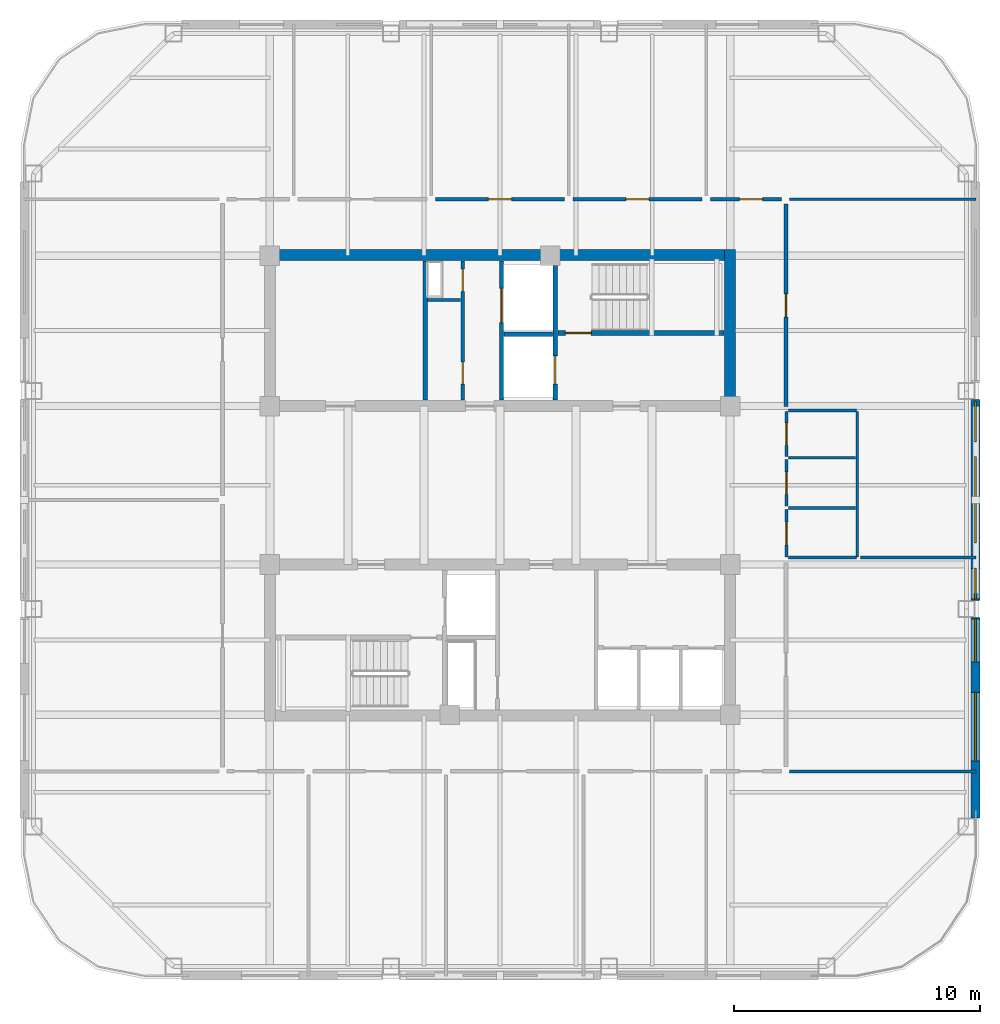
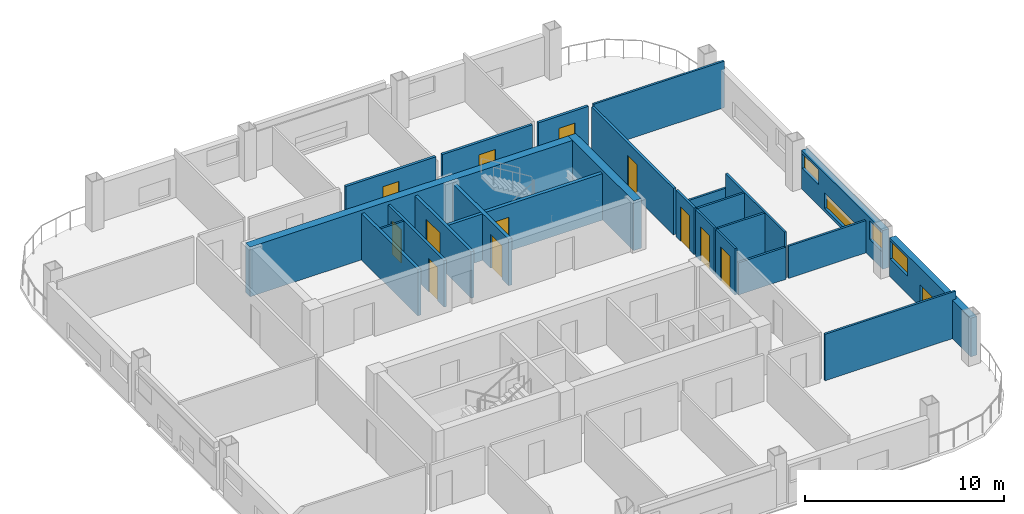
# One storey, part 4 of 8: 26 walls, 12 doors, 5 windows, 17 openings.
"""IFC4 building model written with IfcOpenShell, lengths in metres."""

from ifc_helpers import new_model, si_unit, direction, frame, frame_2d, origin, place, context, subcontext, project, spatial, rectangle, extrude, material, layer, layer_set, type_object, element, fill, save


model = new_model("IFC4")

# Units and contexts
model_context = context("Model", 3, precision=1e-05, world=origin(), true_north=direction((0.0, 1.0)))
body_context = subcontext(model_context, "Body", "Model", "MODEL_VIEW")
ifc_project = project(units=[si_unit("LENGTHUNIT", "METRE"), si_unit("AREAUNIT", "SQUARE_METRE"), si_unit("VOLUMEUNIT", "CUBIC_METRE"), si_unit("PLANEANGLEUNIT", "RADIAN"), si_unit("MASSUNIT", "GRAM", prefix="KILO")], contexts=[model_context])

# Site, building, storey
site_placement = place(None, origin())
site = spatial("IfcSite", under=ifc_project, at=site_placement, CompositionType="ELEMENT")
building_placement = place(site_placement, origin())
building = spatial("IfcBuilding", under=site, at=building_placement, Name="Qhalaya Broadcast Tower", CompositionType="ELEMENT")
storey_placement = place(building_placement, frame((0.0, 0.0, 214.75)))
storey = spatial("IfcBuildingStorey", under=building, at=storey_placement, Name="L63", CompositionType="ELEMENT", Elevation=214.75)

# Wall, openings, doors
ifc_material_1 = material(Name="Gypsum Acoustic Partition")
ifc_layer_1 = layer(ifc_material_1, 0.14990234375, Name="Gypsum Acoustic Partition")
ifc_layer_set_1 = layer_set([ifc_layer_1], Name="Gypsum Acoustic Partition")
wall_type_1 = type_object("IfcWallType", Name="Corridor & Tenancy Acoustic Partition 150", PredefinedType="PARTITIONING", material=ifc_layer_set_1)
wall_1_placement = place(storey_placement, frame((-1.52001953125, 4.070068359375, 0.0), z_axis=(0.0, 0.0, 1.0), x_axis=(0.0, 1.0, 0.0)))
wall_1 = element("IfcWall", 1, at=wall_1_placement, inside=storey, type_object=wall_type_1, Name="L63 Partition Wall NCW-SVL", PredefinedType="PARTITIONING", context=body_context, shape_type="SweptSolid", body=[
    extrude(rectangle(XDim=5.659912109375, YDim=0.14990234375, at=frame_2d((2.830078125, 0.0))), origin(), (0.0, 0.0, 1.0), 2.860107421875),
])
opening_1_placement = place(wall_1_placement, frame((4.429931640625, 0.0, 0.0)))
opening_1 = element("IfcOpeningElement", 2, at=opening_1_placement, cuts=wall_1, Name="Opening D06", PredefinedType="OPENING", context=body_context, shape_type="SweptSolid", body=[
    extrude(rectangle(XDim=0.89990234375, YDim=2.050048828125, at=frame_2d((0.449951171875, 1.02490234375))), frame((0.0, 0.0869140625, 0.0), z_axis=(0.0, -1.0, 0.0), x_axis=(1.0, 0.0, 0.0)), (0.0, 0.0, 1.0), 0.173828125),
])
opening_2_placement = place(wall_1_placement, frame((0.64990234375, 0.0, 0.0)))
opening_2 = element("IfcOpeningElement", 3, at=opening_2_placement, cuts=wall_1, Name="Opening D06", PredefinedType="OPENING", context=body_context, shape_type="SweptSolid", body=[
    extrude(rectangle(XDim=0.89990234375, YDim=2.050048828125, at=frame_2d((0.449951171875, 1.02490234375))), frame((0.0, 0.0869140625, 0.0), z_axis=(0.0, -1.0, 0.0), x_axis=(1.0, 0.0, 0.0)), (0.0, 0.0, 1.0), 0.173828125),
])
ifc_material_2 = material(Name="Fire-Rated Steel Door", Category="steel")
door_type_1 = type_object("IfcDoorType", Name="Riser & Electrical Shaft Access Door D06", OperationType="NOTDEFINED", PredefinedType="DOOR", material=ifc_material_2)
door_1_placement = place(opening_1_placement, origin())
door_1 = element("IfcDoor", 4, at=door_1_placement, inside=storey, type_object=door_type_1, Name="L63 Riser Shaft Access Door D-NRSR", OperationType="SINGLE_SWING_RIGHT", OverallHeight=2.050048828125, OverallWidth=0.89990234375, PredefinedType="DOOR", context=body_context, shape_type="SweptSolid", body=[
    extrude(rectangle(XDim=0.89990234375, YDim=2.050048828125, at=frame_2d((0.449951171875, 1.02490234375))), frame((0.0, 0.02490234375, 0.0), z_axis=(0.0, -1.0, 0.0), x_axis=(1.0, 0.0, 0.0)), (0.0, 0.0, 1.0), 0.050048828125),
])
fill(opening_1, door_1)
door_2_placement = place(opening_2_placement, origin())
door_2 = element("IfcDoor", 5, at=door_2_placement, inside=storey, type_object=door_type_1, Name="L63 Door D-NCST", OperationType="SINGLE_SWING_LEFT", OverallHeight=2.050048828125, OverallWidth=0.89990234375, PredefinedType="DOOR", context=body_context, shape_type="SweptSolid", body=[
    extrude(rectangle(XDim=0.89990234375, YDim=2.050048828125, at=frame_2d((0.449951171875, 1.02490234375))), frame((0.0, 0.02490234375, 0.0), z_axis=(0.0, -1.0, 0.0), x_axis=(1.0, 0.0, 0.0)), (0.0, 0.0, 1.0), 0.050048828125),
])
fill(opening_2, door_2)

# Wall, opening, door
wall_2_placement = place(storey_placement, frame((-2.6201171875, 12.25, 0.0), z_axis=(0.0, 0.0, 1.0), x_axis=(1.0, 0.0, 0.0)))
wall_2 = element("IfcWall", 6, at=wall_2_placement, inside=storey, type_object=wall_type_1, Name="L63 Partition Wall W-COR-03", PredefinedType="PARTITIONING", context=body_context, shape_type="SweptSolid", body=[
    extrude(rectangle(XDim=5.240234375, YDim=0.14990234375, at=frame_2d((2.6201171875, 0.0))), origin(), (0.0, 0.0, 1.0), 2.860107421875),
])
opening_3_placement = place(wall_2_placement, frame((2.14501953125, 0.0, 0.0)))
opening_3 = element("IfcOpeningElement", 7, at=opening_3_placement, cuts=wall_2, Name="Opening D10", PredefinedType="OPENING", context=body_context, shape_type="SweptSolid", body=[
    extrude(rectangle(XDim=0.949951171875, YDim=2.10009765625, at=frame_2d((0.47509765625, 1.050048828125))), frame((0.0, 0.0869140625, 0.0), z_axis=(0.0, -1.0, 0.0), x_axis=(1.0, 0.0, 0.0)), (0.0, 0.0, 1.0), 0.173828125),
])
ifc_material_3 = material(Name="Timber Veneer Acoustic Door", Category="wood")
door_type_2 = type_object("IfcDoorType", Name="Cellular Office & Edit Booth Door D10", OperationType="NOTDEFINED", PredefinedType="DOOR", material=ifc_material_3)
door_3_placement = place(opening_3_placement, origin())
door_3 = element("IfcDoor", 8, at=door_3_placement, inside=storey, type_object=door_type_2, Name="L63 Door D-RM03", OperationType="SINGLE_SWING_LEFT", OverallHeight=2.10009765625, OverallWidth=0.949951171875, PredefinedType="DOOR", context=body_context, shape_type="SweptSolid", body=[
    extrude(rectangle(XDim=0.949951171875, YDim=2.10009765625, at=frame_2d((0.47509765625, 1.050048828125))), frame((0.0, 0.02490234375, 0.0), z_axis=(0.0, -1.0, 0.0), x_axis=(1.0, 0.0, 0.0)), (0.0, 0.0, 1.0), 0.050048828125),
])
fill(opening_3, door_3)

wall_3_placement = place(storey_placement, frame((2.97998046875, 12.25, 0.0), z_axis=(0.0, 0.0, 1.0), x_axis=(1.0, 0.0, 0.0)))
wall_3 = element("IfcWall", 9, at=wall_3_placement, inside=storey, type_object=wall_type_1, Name="L63 Partition Wall W-COR-04", PredefinedType="PARTITIONING", context=body_context, shape_type="SweptSolid", body=[
    extrude(rectangle(XDim=5.239990234375, YDim=0.14990234375, at=frame_2d((2.6201171875, 0.0))), origin(), (0.0, 0.0, 1.0), 2.860107421875),
])
opening_4_placement = place(wall_3_placement, frame((2.14501953125, 0.0, 0.0)))
opening_4 = element("IfcOpeningElement", 10, at=opening_4_placement, cuts=wall_3, Name="Opening D10", PredefinedType="OPENING", context=body_context, shape_type="SweptSolid", body=[
    extrude(rectangle(XDim=0.949951171875, YDim=2.10009765625, at=frame_2d((0.47509765625, 1.050048828125))), frame((0.0, 0.0869140625, 0.0), z_axis=(0.0, -1.0, 0.0), x_axis=(1.0, 0.0, 0.0)), (0.0, 0.0, 1.0), 0.173828125),
])
door_4_placement = place(opening_4_placement, origin())
door_4 = element("IfcDoor", 11, at=door_4_placement, inside=storey, type_object=door_type_2, Name="L63 Door D-RM04", OperationType="SINGLE_SWING_RIGHT", OverallHeight=2.10009765625, OverallWidth=0.949951171875, PredefinedType="DOOR", context=body_context, shape_type="SweptSolid", body=[
    extrude(rectangle(XDim=0.949951171875, YDim=2.10009765625, at=frame_2d((0.47509765625, 1.050048828125))), frame((0.0, 0.02490234375, 0.0), z_axis=(0.0, -1.0, 0.0), x_axis=(1.0, 0.0, 0.0)), (0.0, 0.0, 1.0), 0.050048828125),
])
fill(opening_4, door_4)

wall_4_placement = place(storey_placement, frame((8.580078125, 12.25, 0.0), z_axis=(0.0, 0.0, 1.0), x_axis=(1.0, 0.0, 0.0)))
wall_4 = element("IfcWall", 12, at=wall_4_placement, inside=storey, type_object=wall_type_1, Name="L63 Partition Wall W-COR-05", PredefinedType="PARTITIONING", context=body_context, shape_type="SweptSolid", body=[
    extrude(rectangle(XDim=2.889892578125, YDim=0.14990234375, at=frame_2d((1.44482421875, 0.0))), origin(), (0.0, 0.0, 1.0), 2.860107421875),
])
opening_5_placement = place(wall_4_placement, frame((1.169921875, 0.0, 0.0)))
opening_5 = element("IfcOpeningElement", 13, at=opening_5_placement, cuts=wall_4, Name="Opening D10", PredefinedType="OPENING", context=body_context, shape_type="SweptSolid", body=[
    extrude(rectangle(XDim=0.949951171875, YDim=2.10009765625, at=frame_2d((0.47509765625, 1.050048828125))), frame((0.0, 0.0869140625, 0.0), z_axis=(0.0, -1.0, 0.0), x_axis=(1.0, 0.0, 0.0)), (0.0, 0.0, 1.0), 0.173828125),
])
door_5_placement = place(opening_5_placement, origin())
door_5 = element("IfcDoor", 14, at=door_5_placement, inside=storey, type_object=door_type_2, Name="L63 Door D-RM05", OperationType="SINGLE_SWING_LEFT", OverallHeight=2.10009765625, OverallWidth=0.949951171875, PredefinedType="DOOR", context=body_context, shape_type="SweptSolid", body=[
    extrude(rectangle(XDim=0.949951171875, YDim=2.10009765625, at=frame_2d((0.47509765625, 1.050048828125))), frame((0.0, 0.02490234375, 0.0), z_axis=(0.0, -1.0, 0.0), x_axis=(1.0, 0.0, 0.0)), (0.0, 0.0, 1.0), 0.050048828125),
])
fill(opening_5, door_5)

wall_5_placement = place(storey_placement, frame((11.64990234375, 3.800048828125, 0.0), z_axis=(0.0, 0.0, 1.0), x_axis=(0.0, 1.0, 0.0)))
wall_5 = element("IfcWall", 15, at=wall_5_placement, inside=storey, type_object=wall_type_1, Name="L63 Partition Wall W-COR-14", PredefinedType="PARTITIONING", context=body_context, shape_type="SweptSolid", body=[
    extrude(rectangle(XDim=8.25, YDim=0.14990234375, at=frame_2d((4.125, 0.0))), origin(), (0.0, 0.0, 1.0), 2.860107421875),
])
opening_6_placement = place(wall_5_placement, frame((3.64990234375, 0.0, 0.0)))
opening_6 = element("IfcOpeningElement", 16, at=opening_6_placement, cuts=wall_5, Name="Opening D10", PredefinedType="OPENING", context=body_context, shape_type="SweptSolid", body=[
    extrude(rectangle(XDim=0.949951171875, YDim=2.10009765625, at=frame_2d((0.47509765625, 1.050048828125))), frame((0.0, 0.0869140625, 0.0), z_axis=(0.0, -1.0, 0.0), x_axis=(1.0, 0.0, 0.0)), (0.0, 0.0, 1.0), 0.173828125),
])
door_6_placement = place(opening_6_placement, origin())
door_6 = element("IfcDoor", 17, at=door_6_placement, inside=storey, type_object=door_type_2, Name="L63 Door D-RM14", OperationType="SINGLE_SWING_RIGHT", OverallHeight=2.10009765625, OverallWidth=0.949951171875, PredefinedType="DOOR", context=body_context, shape_type="SweptSolid", body=[
    extrude(rectangle(XDim=0.949951171875, YDim=2.10009765625, at=frame_2d((0.47509765625, 1.050048828125))), frame((0.0, 0.02490234375, 0.0), z_axis=(0.0, -1.0, 0.0), x_axis=(1.0, 0.0, 0.0)), (0.0, 0.0, 1.0), 0.050048828125),
])
fill(opening_6, door_6)

# Wall, openings, windows
ifc_material_4 = material(Name="Precast Concrete C40/50", Category="concrete")
ifc_layer_2 = layer(ifc_material_4, 0.360107421875, Name="Precast Concrete C40/50")
ifc_layer_set_2 = layer_set([ifc_layer_2], Name="Precast Concrete C40/50")
wall_type_2 = type_object("IfcWallType", Name="Insulated Precast Terracotta Exterior Wall 360", PredefinedType="SOLIDWALL", material=ifc_layer_set_2)
wall_6_placement = place(storey_placement, frame((19.360107421875, 4.083251953125, 0.0), z_axis=(0.0, 0.0, 1.0), x_axis=(0.0, -1.0, 0.0)))
wall_6 = element("IfcWall", 18, at=wall_6_placement, inside=storey, type_object=wall_type_2, Name="L63 Exoskeleton Diagrid Infill Wall E2", PredefinedType="SOLIDWALL", context=body_context, shape_type="SweptSolid", body=[
    extrude(rectangle(XDim=8.16650390625, YDim=0.360107421875, at=frame_2d((4.083251953125, 0.0))), origin(), (0.0, 0.0, 1.0), 2.3740234375),
])
opening_7_placement = place(wall_6_placement, frame((0.071044921875, 0.0, 1.300048828125)))
opening_7 = element("IfcOpeningElement", 19, at=opening_7_placement, cuts=wall_6, Name="Opening W13", PredefinedType="OPENING", context=body_context, shape_type="SweptSolid", body=[
    extrude(rectangle(XDim=1.64990234375, YDim=0.89990234375, at=frame_2d((0.824951171875, 0.449951171875))), frame((0.0, 0.192138671875, 0.0), z_axis=(0.0, -1.0, 0.0), x_axis=(1.0, 0.0, 0.0)), (0.0, 0.0, 1.0), 0.384033203125),
])
opening_8_placement = place(wall_6_placement, frame((2.321044921875, 0.0, 0.199951171875)))
opening_8 = element("IfcOpeningElement", 20, at=opening_8_placement, cuts=wall_6, Name="Opening W13", PredefinedType="OPENING", context=body_context, shape_type="SweptSolid", body=[
    extrude(rectangle(XDim=3.5, YDim=0.949951171875, at=frame_2d((1.75, 0.47509765625))), frame((0.0, 0.192138671875, 0.0), z_axis=(0.0, -1.0, 0.0), x_axis=(1.0, 0.0, 0.0)), (0.0, 0.0, 1.0), 0.384033203125),
])
opening_9_placement = place(wall_6_placement, frame((6.87109375, 0.0, 1.050048828125)))
opening_9 = element("IfcOpeningElement", 21, at=opening_9_placement, cuts=wall_6, Name="Opening W13", PredefinedType="OPENING", context=body_context, shape_type="SweptSolid", body=[
    extrude(rectangle(XDim=1.25, YDim=1.14990234375, at=frame_2d((0.625, 0.574951171875))), frame((0.0, 0.192138671875, 0.0), z_axis=(0.0, -1.0, 0.0), x_axis=(1.0, 0.0, 0.0)), (0.0, 0.0, 1.0), 0.384033203125),
])
ifc_material_5 = material(Name="Solar-Control Low-E Triple Glazing", Category="glass")
window_type = type_object("IfcWindowType", Name="Upper-Block Diagrid Infill Window W13", PartitioningType="SINGLE_PANEL", PredefinedType="WINDOW", material=ifc_material_5)
window_1_placement = place(opening_7_placement, origin())
window_1 = element("IfcWindow", 22, at=window_1_placement, inside=storey, type_object=window_type, Name="L63 Diagrid Infill Window W13-E3", OverallHeight=0.89990234375, OverallWidth=1.64990234375, PartitioningType="SINGLE_PANEL", PredefinedType="WINDOW", context=body_context, shape_type="SweptSolid", body=[
    extrude(rectangle(XDim=1.64990234375, YDim=0.89990234375, at=frame_2d((0.824951171875, 0.449951171875))), frame((0.0, 0.030029296875, 0.0), z_axis=(0.0, -1.0, 0.0), x_axis=(1.0, 0.0, 0.0)), (0.0, 0.0, 1.0), 0.06005859375),
])
fill(opening_7, window_1)
window_2_placement = place(opening_8_placement, origin())
window_2 = element("IfcWindow", 23, at=window_2_placement, inside=storey, type_object=window_type, Name="L63 Diagrid Infill Window W13-E4", OverallHeight=0.949951171875, OverallWidth=3.5, PartitioningType="SINGLE_PANEL", PredefinedType="WINDOW", context=body_context, shape_type="SweptSolid", body=[
    extrude(rectangle(XDim=3.5, YDim=0.949951171875, at=frame_2d((1.75, 0.47509765625))), frame((0.0, 0.030029296875, 0.0), z_axis=(0.0, -1.0, 0.0), x_axis=(1.0, 0.0, 0.0)), (0.0, 0.0, 1.0), 0.06005859375),
])
fill(opening_8, window_2)
window_3_placement = place(opening_9_placement, origin())
window_3 = element("IfcWindow", 24, at=window_3_placement, inside=storey, type_object=window_type, Name="L63 Diagrid Infill Window W13-E5", OverallHeight=1.14990234375, OverallWidth=1.25, PartitioningType="SINGLE_PANEL", PredefinedType="WINDOW", context=body_context, shape_type="SweptSolid", body=[
    extrude(rectangle(XDim=1.25, YDim=1.14990234375, at=frame_2d((0.625, 0.574951171875))), frame((0.0, 0.030029296875, 0.0), z_axis=(0.0, -1.0, 0.0), x_axis=(1.0, 0.0, 0.0)), (0.0, 0.0, 1.0), 0.06005859375),
])
fill(opening_9, window_3)

wall_7_placement = place(storey_placement, frame((19.360107421875, -4.783203125, 0.0), z_axis=(0.0, 0.0, 1.0), x_axis=(0.0, -1.0, 0.0)))
wall_7 = element("IfcWall", 25, at=wall_7_placement, inside=storey, type_object=wall_type_2, Name="L63 Exoskeleton Diagrid Infill Wall E3", PredefinedType="SOLIDWALL", context=body_context, shape_type="SweptSolid", body=[
    extrude(rectangle(XDim=8.1787109375, YDim=0.360107421875, at=frame_2d((4.08935546875, 0.0))), origin(), (0.0, 0.0, 1.0), 2.3740234375),
])
opening_10_placement = place(wall_7_placement, frame((0.054931640625, 0.0, 1.10009765625)))
opening_10 = element("IfcOpeningElement", 26, at=opening_10_placement, cuts=wall_7, Name="Opening W13", PredefinedType="OPENING", context=body_context, shape_type="SweptSolid", body=[
    extrude(rectangle(XDim=1.75, YDim=1.10009765625, at=frame_2d((0.875, 0.550048828125))), frame((0.0, 0.192138671875, 0.0), z_axis=(0.0, -1.0, 0.0), x_axis=(1.0, 0.0, 0.0)), (0.0, 0.0, 1.0), 0.384033203125),
])
opening_11_placement = place(wall_7_placement, frame((3.054931640625, 0.0, 0.199951171875)))
opening_11 = element("IfcOpeningElement", 27, at=opening_11_placement, cuts=wall_7, Name="Opening W13", PredefinedType="OPENING", context=body_context, shape_type="SweptSolid", body=[
    extrude(rectangle(XDim=2.800048828125, YDim=1.14990234375, at=frame_2d((1.39990234375, 0.574951171875))), frame((0.0, 0.192138671875, 0.0), z_axis=(0.0, -1.0, 0.0), x_axis=(1.0, 0.0, 0.0)), (0.0, 0.0, 1.0), 0.384033203125),
])
window_4_placement = place(opening_10_placement, origin())
window_4 = element("IfcWindow", 28, at=window_4_placement, inside=storey, type_object=window_type, Name="L63 Diagrid Infill Window W13-E6", OverallHeight=1.10009765625, OverallWidth=1.75, PartitioningType="SINGLE_PANEL", PredefinedType="WINDOW", context=body_context, shape_type="SweptSolid", body=[
    extrude(rectangle(XDim=1.75, YDim=1.10009765625, at=frame_2d((0.875, 0.550048828125))), frame((0.0, 0.030029296875, 0.0), z_axis=(0.0, -1.0, 0.0), x_axis=(1.0, 0.0, 0.0)), (0.0, 0.0, 1.0), 0.06005859375),
])
fill(opening_10, window_4)
window_5_placement = place(opening_11_placement, origin())
window_5 = element("IfcWindow", 29, at=window_5_placement, inside=storey, type_object=window_type, Name="L63 Diagrid Infill Window W13-E7", OverallHeight=1.14990234375, OverallWidth=2.800048828125, PartitioningType="SINGLE_PANEL", PredefinedType="WINDOW", context=body_context, shape_type="SweptSolid", body=[
    extrude(rectangle(XDim=2.800048828125, YDim=1.14990234375, at=frame_2d((1.39990234375, 0.574951171875))), frame((0.0, 0.030029296875, 0.0), z_axis=(0.0, -1.0, 0.0), x_axis=(1.0, 0.0, 0.0)), (0.0, 0.0, 1.0), 0.06005859375),
])
fill(opening_11, window_5)

# Wall, opening, door
ifc_material_6 = material(Name="Concrete C50/60", Category="concrete")
ifc_layer_3 = layer(ifc_material_6, 0.199951171875, Name="Concrete C50/60")
ifc_layer_set_3 = layer_set([ifc_layer_3], Name="Concrete C50/60")
wall_type_3 = type_object("IfcWallType", Name="Load-Bearing Stair Shaft Wall 200", PredefinedType="SHEAR", material=ifc_layer_set_3)
wall_8_placement = place(storey_placement, frame((2.360107421875, 6.804931640625, 0.0), z_axis=(0.0, 0.0, 1.0), x_axis=(1.0, 0.0, 0.0)))
wall_8 = element("IfcWall", 30, at=wall_8_placement, inside=storey, type_object=wall_type_3, Name="L63 Stair Core Shear Wall NCW-ST1", PredefinedType="SHEAR", context=body_context, shape_type="SweptSolid", body=[
    extrude(rectangle(XDim=6.769775390625, YDim=0.199951171875, at=frame_2d((3.384765625, 0.0))), origin(), (0.0, 0.0, 1.0), 2.860107421875),
])
opening_12_placement = place(wall_8_placement, frame((0.300048828125, 0.0, 0.0)))
opening_12 = element("IfcOpeningElement", 31, at=opening_12_placement, cuts=wall_8, Name="Opening D03", PredefinedType="OPENING", context=body_context, shape_type="SweptSolid", body=[
    extrude(rectangle(XDim=1.050048828125, YDim=2.080078125, at=frame_2d((0.52490234375, 1.0400390625))), frame((0.0, 0.112060546875, 0.0), z_axis=(0.0, -1.0, 0.0), x_axis=(1.0, 0.0, 0.0)), (0.0, 0.0, 1.0), 0.223876953125),
])
door_type_3 = type_object("IfcDoorType", Name="Core Stair Protected Fire Door D03", OperationType="NOTDEFINED", PredefinedType="DOOR", material=ifc_material_2)
door_7_placement = place(opening_12_placement, origin())
door_7 = element("IfcDoor", 32, at=door_7_placement, inside=storey, type_object=door_type_3, Name="L63 Door D-NST1", OperationType="SINGLE_SWING_LEFT", OverallHeight=2.080078125, OverallWidth=1.050048828125, PredefinedType="DOOR", context=body_context, shape_type="SweptSolid", body=[
    extrude(rectangle(XDim=1.050048828125, YDim=2.080078125, at=frame_2d((0.52490234375, 1.0400390625))), frame((0.0, 0.02490234375, 0.0), z_axis=(0.0, -1.0, 0.0), x_axis=(1.0, 0.0, 0.0)), (0.0, 0.0, 1.0), 0.050048828125),
])
fill(opening_12, door_7)

wall_9_placement = place(storey_placement, frame((2.25, 4.070068359375, 0.0), z_axis=(0.0, 0.0, 1.0), x_axis=(0.0, 1.0, 0.0)))
wall_9 = element("IfcWall", 33, at=wall_9_placement, inside=storey, type_object=wall_type_3, Name="L63 Stair Core Shear Wall NCW-FF", PredefinedType="SHEAR", context=body_context, shape_type="SweptSolid", body=[
    extrude(rectangle(XDim=5.659912109375, YDim=0.199951171875, at=frame_2d((2.830078125, 0.0))), origin(), (0.0, 0.0, 1.0), 2.860107421875),
])
opening_13_placement = place(wall_9_placement, frame((0.64990234375, 0.0, 0.0)))
opening_13 = element("IfcOpeningElement", 34, at=opening_13_placement, cuts=wall_9, Name="Opening LD2", PredefinedType="OPENING", context=body_context, shape_type="SweptSolid", body=[
    extrude(rectangle(XDim=1.14990234375, YDim=2.080078125, at=frame_2d((0.574951171875, 1.0400390625))), frame((0.0, 0.112060546875, 0.0), z_axis=(0.0, -1.0, 0.0), x_axis=(1.0, 0.0, 0.0)), (0.0, 0.0, 1.0), 0.223876953125),
])
ifc_material_7 = material(Name="Brushed Stainless Steel Lift Door", Category="steel")
door_type_4 = type_object("IfcDoorType", Name="Firefighting Lift Sliding Landing Door LD2", OperationType="DOUBLE_DOOR_SLIDING", PredefinedType="DOOR", material=ifc_material_7)
door_8_placement = place(opening_13_placement, origin())
door_8 = element("IfcDoor", 35, at=door_8_placement, inside=storey, type_object=door_type_4, Name="L63 Door LD-FF1", OperationType="DOUBLE_DOOR_SLIDING", OverallHeight=2.080078125, OverallWidth=1.14990234375, PredefinedType="DOOR", context=body_context, shape_type="SweptSolid", body=[
    extrude(rectangle(XDim=1.14990234375, YDim=2.080078125, at=frame_2d((0.574951171875, 1.0400390625))), frame((0.0, 0.02490234375, 0.0), z_axis=(0.0, -1.0, 0.0), x_axis=(1.0, 0.0, 0.0)), (0.0, 0.0, 1.0), 0.050048828125),
])
fill(opening_13, door_8)

# Wall
ifc_layer_4 = layer(ifc_material_1, 0.1201171875, Name="Gypsum Acoustic Partition")
ifc_layer_set_4 = layer_set([ifc_layer_4], Name="Gypsum Acoustic Partition")
wall_type_4 = type_object("IfcWallType", Name="Office, Booth & Sanitary Partition 120", PredefinedType="PARTITIONING", material=ifc_layer_set_4)
wall_10_placement = place(storey_placement, frame((-2.9599609375, 8.14990234375, 0.0), z_axis=(0.0, 0.0, 1.0), x_axis=(1.0, 0.0, 0.0)))
element("IfcWall", 36, at=wall_10_placement, inside=storey, type_object=wall_type_4, Name="L63 Partition Wall NCW-VA", PredefinedType="PARTITIONING", context=body_context, shape_type="SweptSolid", body=[
    extrude(rectangle(XDim=1.35986328125, YDim=0.1201171875, at=frame_2d((0.679931640625, 0.0))), origin(), (0.0, 0.0, 1.0), 2.860107421875),
])

# Wall, opening, door
wall_11_placement = place(storey_placement, frame((11.669921875, -2.320068359375, 0.0), z_axis=(0.0, 0.0, 1.0), x_axis=(0.0, 1.0, 0.0)))
wall_11 = element("IfcWall", 37, at=wall_11_placement, inside=storey, type_object=wall_type_4, Name="L63 Partition Wall W-WCWA", PredefinedType="PARTITIONING", context=body_context, shape_type="SweptSolid", body=[
    extrude(rectangle(XDim=1.940185546875, YDim=0.1201171875, at=frame_2d((0.97021484375, 0.0))), origin(), (0.0, 0.0, 1.0), 2.860107421875),
])
opening_14_placement = place(wall_11_placement, frame((0.4951171875, 0.0, 0.0)))
opening_14 = element("IfcOpeningElement", 38, at=opening_14_placement, cuts=wall_11, Name="Opening D12", PredefinedType="OPENING", context=body_context, shape_type="SweptSolid", body=[
    extrude(rectangle(XDim=0.919921875, YDim=2.10009765625, at=frame_2d((0.4599609375, 1.050048828125))), frame((0.0, 0.072021484375, 0.0), z_axis=(0.0, -1.0, 0.0), x_axis=(1.0, 0.0, 0.0)), (0.0, 0.0, 1.0), 0.14404296875),
])
door_type_5 = type_object("IfcDoorType", Name="Accessible WC & Restroom Door D12", OperationType="NOTDEFINED", PredefinedType="DOOR", material=ifc_material_3)
door_9_placement = place(opening_14_placement, origin())
door_9 = element("IfcDoor", 39, at=door_9_placement, inside=storey, type_object=door_type_5, Name="L63 Door D-WCA", OperationType="SINGLE_SWING_LEFT", OverallHeight=2.10009765625, OverallWidth=0.919921875, PredefinedType="DOOR", context=body_context, shape_type="SweptSolid", body=[
    extrude(rectangle(XDim=0.919921875, YDim=2.10009765625, at=frame_2d((0.4599609375, 1.050048828125))), frame((0.0, 0.02490234375, 0.0), z_axis=(0.0, -1.0, 0.0), x_axis=(1.0, 0.0, 0.0)), (0.0, 0.0, 1.0), 0.050048828125),
])
fill(opening_14, door_9)

wall_12_placement = place(storey_placement, frame((11.669921875, -0.25, 0.0), z_axis=(0.0, 0.0, 1.0), x_axis=(0.0, 1.0, 0.0)))
wall_12 = element("IfcWall", 40, at=wall_12_placement, inside=storey, type_object=wall_type_4, Name="L63 Partition Wall W-WCWM", PredefinedType="PARTITIONING", context=body_context, shape_type="SweptSolid", body=[
    extrude(rectangle(XDim=1.89990234375, YDim=0.1201171875, at=frame_2d((0.949951171875, 0.0))), origin(), (0.0, 0.0, 1.0), 2.860107421875),
])
opening_15_placement = place(wall_12_placement, frame((0.47509765625, 0.0, 0.0)))
opening_15 = element("IfcOpeningElement", 41, at=opening_15_placement, cuts=wall_12, Name="Opening D12", PredefinedType="OPENING", context=body_context, shape_type="SweptSolid", body=[
    extrude(rectangle(XDim=0.919921875, YDim=2.10009765625, at=frame_2d((0.4599609375, 1.050048828125))), frame((0.0, 0.072021484375, 0.0), z_axis=(0.0, -1.0, 0.0), x_axis=(1.0, 0.0, 0.0)), (0.0, 0.0, 1.0), 0.14404296875),
])
door_10_placement = place(opening_15_placement, origin())
door_10 = element("IfcDoor", 42, at=door_10_placement, inside=storey, type_object=door_type_5, Name="L63 Door D-WCM", OperationType="SINGLE_SWING_RIGHT", OverallHeight=2.10009765625, OverallWidth=0.919921875, PredefinedType="DOOR", context=body_context, shape_type="SweptSolid", body=[
    extrude(rectangle(XDim=0.919921875, YDim=2.10009765625, at=frame_2d((0.4599609375, 1.050048828125))), frame((0.0, 0.02490234375, 0.0), z_axis=(0.0, -1.0, 0.0), x_axis=(1.0, 0.0, 0.0)), (0.0, 0.0, 1.0), 0.050048828125),
])
fill(opening_15, door_10)

wall_13_placement = place(storey_placement, frame((11.669921875, 1.780029296875, 0.0), z_axis=(0.0, 0.0, 1.0), x_axis=(0.0, 1.0, 0.0)))
wall_13 = element("IfcWall", 43, at=wall_13_placement, inside=storey, type_object=wall_type_4, Name="L63 Partition Wall W-WCWF", PredefinedType="PARTITIONING", context=body_context, shape_type="SweptSolid", body=[
    extrude(rectangle(XDim=1.830078125, YDim=0.1201171875, at=frame_2d((0.9150390625, 0.0))), origin(), (0.0, 0.0, 1.0), 2.860107421875),
])
opening_16_placement = place(wall_13_placement, frame((0.43994140625, 0.0, 0.0)))
opening_16 = element("IfcOpeningElement", 44, at=opening_16_placement, cuts=wall_13, Name="Opening D12", PredefinedType="OPENING", context=body_context, shape_type="SweptSolid", body=[
    extrude(rectangle(XDim=0.919921875, YDim=2.10009765625, at=frame_2d((0.4599609375, 1.050048828125))), frame((0.0, 0.072021484375, 0.0), z_axis=(0.0, -1.0, 0.0), x_axis=(1.0, 0.0, 0.0)), (0.0, 0.0, 1.0), 0.14404296875),
])
door_11_placement = place(opening_16_placement, origin())
door_11 = element("IfcDoor", 45, at=door_11_placement, inside=storey, type_object=door_type_5, Name="L63 Door D-WCF", OperationType="SINGLE_SWING_LEFT", OverallHeight=2.10009765625, OverallWidth=0.919921875, PredefinedType="DOOR", context=body_context, shape_type="SweptSolid", body=[
    extrude(rectangle(XDim=0.919921875, YDim=2.10009765625, at=frame_2d((0.4599609375, 1.050048828125))), frame((0.0, 0.02490234375, 0.0), z_axis=(0.0, -1.0, 0.0), x_axis=(1.0, 0.0, 0.0)), (0.0, 0.0, 1.0), 0.050048828125),
])
fill(opening_16, door_11)

# Walls
wall_14_placement = place(storey_placement, frame((14.550048828125, -2.320068359375, 0.0), z_axis=(0.0, 0.0, 1.0), x_axis=(0.0, 1.0, 0.0)))
element("IfcWall", 46, at=wall_14_placement, inside=storey, type_object=wall_type_4, Name="L63 Partition Wall W-WCE", PredefinedType="PARTITIONING", context=body_context, shape_type="SweptSolid", body=[
    extrude(rectangle(XDim=5.93017578125, YDim=0.1201171875, at=frame_2d((2.965087890625, 0.0))), origin(), (0.0, 0.0, 1.0), 2.860107421875),
])
for number, where, z_axis, x_axis, name in (
    (47, (11.760009765625, -2.35009765625, 0.0), (0.0, 0.0, 1.0), (1.0, 0.0, 0.0), "L63 Partition Wall W-WCS"),
    (48, (11.760009765625, 3.639892578125, 0.0), (0.0, 0.0, 1.0), (1.0, 0.0, 0.0), "L63 Partition Wall W-WCN"),
):
    element("IfcWall", number, at=place(storey_placement, frame(where, z_axis=z_axis, x_axis=x_axis)), inside=storey, type_object=wall_type_4, Name=name, PredefinedType="PARTITIONING", context=body_context, shape_type="SweptSolid", body=[
        extrude(rectangle(XDim=2.760009765625, YDim=0.1201171875, at=frame_2d((1.3798828125, 0.0))), origin(), (0.0, 0.0, 1.0), 1.98095703125),
    ])
for number, where, z_axis, x_axis, name in (
    (49, (11.760009765625, -0.320068359375, 0.0), (0.0, 0.0, 1.0), (1.0, 0.0, 0.0), "L63 Partition Wall W-WCD1"),
    (50, (11.760009765625, 1.719970703125, 0.0), (0.0, 0.0, 1.0), (1.0, 0.0, 0.0), "L63 Partition Wall W-WCD2"),
):
    element("IfcWall", number, at=place(storey_placement, frame(where, z_axis=z_axis, x_axis=x_axis)), inside=storey, type_object=wall_type_4, Name=name, PredefinedType="PARTITIONING", context=body_context, shape_type="SweptSolid", body=[
        extrude(rectangle(XDim=2.719970703125, YDim=0.1201171875, at=frame_2d((1.35986328125, 0.0))), origin(), (0.0, 0.0, 1.0), 2.860107421875),
    ])
for number, where, z_axis, x_axis, name in (
    (51, (11.7900390625, 12.25, 0.0), (0.0, 0.0, 1.0), (1.0, 0.0, 0.0), "L63 Partition Wall W-BNDE1"),
    (52, (11.7900390625, -11.050048828125, 0.0), (0.0, 0.0, 1.0), (1.0, 0.0, 0.0), "L63 Partition Wall W-BNDE2"),
):
    element("IfcWall", number, at=place(storey_placement, frame(where, z_axis=z_axis, x_axis=x_axis)), inside=storey, type_object=wall_type_4, Name=name, PredefinedType="PARTITIONING", context=body_context, shape_type="SweptSolid", body=[
        extrude(rectangle(XDim=7.58984375, YDim=0.1201171875, at=frame_2d((3.794921875, 0.0))), origin(), (0.0, 0.0, 1.0), 2.860107421875),
    ])
wall_15_placement = place(storey_placement, frame((14.68994140625, -2.35009765625, 0.0), z_axis=(0.0, 0.0, 1.0), x_axis=(1.0, 0.0, 0.0)))
element("IfcWall", 53, at=wall_15_placement, inside=storey, type_object=wall_type_4, Name="L63 Partition Wall W-DIVE-WC", PredefinedType="PARTITIONING", context=body_context, shape_type="SweptSolid", body=[
    extrude(rectangle(XDim=4.68994140625, YDim=0.1201171875, at=frame_2d((2.344970703125, 0.0))), origin(), (0.0, 0.0, 1.0), 1.98095703125),
])

# Wall, opening, door
ifc_layer_5 = layer(ifc_material_1, 0.175048828125, Name="Gypsum Acoustic Partition")
ifc_layer_set_5 = layer_set([ifc_layer_5], Name="Gypsum Acoustic Partition")
wall_type_5 = type_object("IfcWallType", Name="Shaft & Riser Fire Partition 175", PredefinedType="PARTITIONING", material=ifc_layer_set_5)
wall_16_placement = place(storey_placement, frame((0.06005859375, 4.070068359375, 0.0), z_axis=(0.0, 0.0, 1.0), x_axis=(0.0, 1.0, 0.0)))
wall_16 = element("IfcWall", 54, at=wall_16_placement, inside=storey, type_object=wall_type_5, Name="L63 Partition Wall NCW-SVW", PredefinedType="PARTITIONING", context=body_context, shape_type="SweptSolid", body=[
    extrude(rectangle(XDim=5.659912109375, YDim=0.175048828125, at=frame_2d((2.830078125, 0.0))), origin(), (0.0, 0.0, 1.0), 2.860107421875),
])
opening_17_placement = place(wall_16_placement, frame((3.14990234375, 0.0, 0.0)))
opening_17 = element("IfcOpeningElement", 55, at=opening_17_placement, cuts=wall_16, Name="Opening LD3", PredefinedType="OPENING", context=body_context, shape_type="SweptSolid", body=[
    extrude(rectangle(XDim=1.39990234375, YDim=2.1201171875, at=frame_2d((0.699951171875, 1.06005859375))), frame((0.0, 0.099609375, 0.0), z_axis=(0.0, -1.0, 0.0), x_axis=(1.0, 0.0, 0.0)), (0.0, 0.0, 1.0), 0.198974609375),
])
door_type_6 = type_object("IfcDoorType", Name="Service Lift Wide Sliding Landing Door LD3", OperationType="DOUBLE_DOOR_SLIDING", PredefinedType="DOOR", material=ifc_material_7)
door_12_placement = place(opening_17_placement, origin())
door_12 = element("IfcDoor", 56, at=door_12_placement, inside=storey, type_object=door_type_6, Name="L63 Door LD-SV1", OperationType="DOUBLE_DOOR_SLIDING", OverallHeight=2.1201171875, OverallWidth=1.39990234375, PredefinedType="DOOR", context=body_context, shape_type="SweptSolid", body=[
    extrude(rectangle(XDim=1.39990234375, YDim=2.1201171875, at=frame_2d((0.699951171875, 1.06005859375))), frame((0.0, 0.02490234375, 0.0), z_axis=(0.0, -1.0, 0.0), x_axis=(1.0, 0.0, 0.0)), (0.0, 0.0, 1.0), 0.050048828125),
])
fill(opening_17, door_12)

# Walls
wall_17_placement = place(storey_placement, frame((0.159912109375, 6.75, 0.0), z_axis=(0.0, 0.0, 1.0), x_axis=(1.0, 0.0, 0.0)))
element("IfcWall", 57, at=wall_17_placement, inside=storey, type_object=wall_type_5, Name="L63 Partition Wall NCW-SVM", PredefinedType="PARTITIONING", context=body_context, shape_type="SweptSolid", body=[
    extrude(rectangle(XDim=1.97998046875, YDim=0.175048828125, at=frame_2d((0.989990234375, 0.0))), origin(), (0.0, 0.0, 1.0), 2.860107421875),
])
wall_18_placement = place(storey_placement, frame((-3.0400390625, 4.070068359375, 0.0), z_axis=(0.0, 0.0, 1.0), x_axis=(0.0, 1.0, 0.0)))
element("IfcWall", 58, at=wall_18_placement, inside=storey, type_object=wall_type_5, Name="L63 Partition Wall NCW-VRW", PredefinedType="PARTITIONING", context=body_context, shape_type="SweptSolid", body=[
    extrude(rectangle(XDim=5.659912109375, YDim=0.175048828125, at=frame_2d((2.830078125, 0.0))), origin(), (0.0, 0.0, 1.0), 2.860107421875),
])
ifc_layer_6 = layer(ifc_material_6, 0.449951171875, Name="Concrete C50/60")
ifc_layer_set_6 = layer_set([ifc_layer_6], Name="Concrete C50/60")
wall_type_6 = type_object("IfcWallType", Name="Upper Split-Core Shear Wall 450", PredefinedType="SHEAR", material=ifc_layer_set_6)
wall_19_placement = place(storey_placement, frame((-9.60009765625, 9.97509765625, 0.0), z_axis=(0.0, 0.0, 1.0), x_axis=(1.0, 0.0, 0.0)))
element("IfcWall", 59, at=wall_19_placement, inside=storey, type_object=wall_type_6, Name="L63 Split-Core Shear Wall CW-NN", PredefinedType="SHEAR", context=body_context, shape_type="SweptSolid", body=[
    extrude(rectangle(XDim=19.2001953125, YDim=0.449951171875, at=frame_2d((9.60009765625, 0.0))), origin(), (0.0, 0.0, 1.0), 3.050048828125),
])
wall_20_placement = place(storey_placement, frame((9.375, 3.60009765625, 0.0), z_axis=(0.0, 0.0, 1.0), x_axis=(0.0, 1.0, 0.0)))
element("IfcWall", 60, at=wall_20_placement, inside=storey, type_object=wall_type_6, Name="L63 Split-Core Shear Wall CW-NE", PredefinedType="SHEAR", context=body_context, shape_type="SweptSolid", body=[
    extrude(rectangle(XDim=6.599853515625, YDim=0.449951171875, at=frame_2d((3.2998046875, 0.0))), origin(), (0.0, 0.0, 1.0), 3.050048828125),
])

save(model, "model.ifc")
